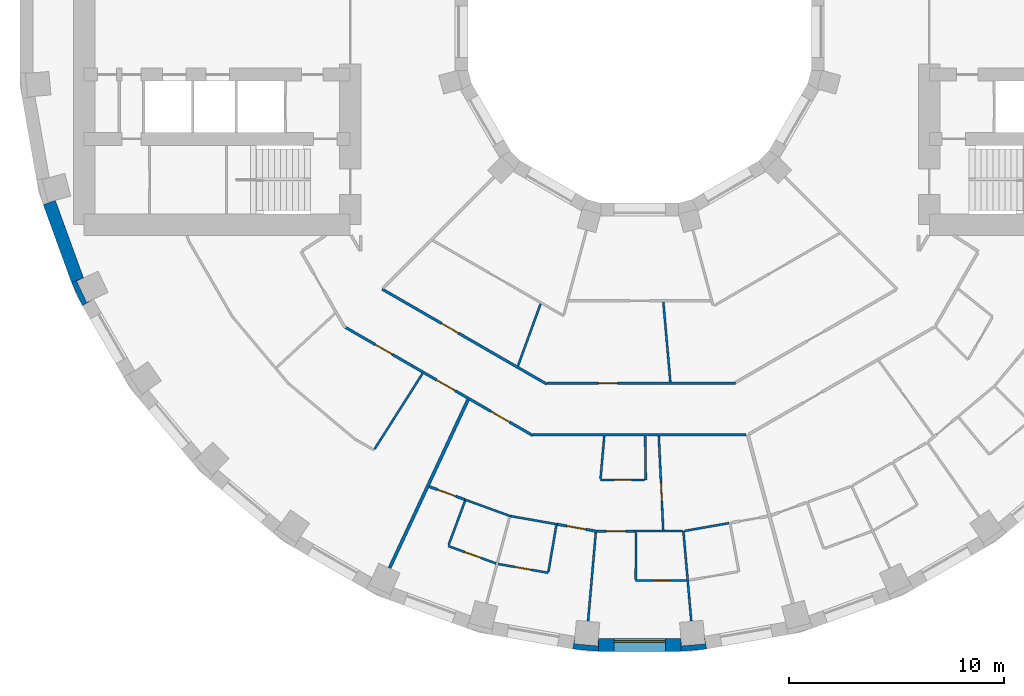
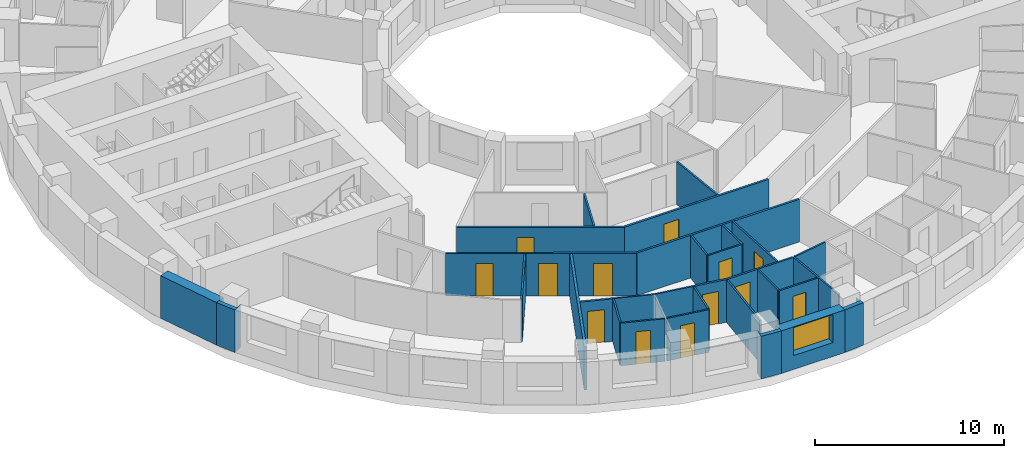
# One storey, part 4 of 15: 32 walls, 13 doors, 1 window, 14 openings.
"""IFC4 building model written with IfcOpenShell, lengths in metres."""

from ifc_helpers import new_model, si_unit, direction, frame, frame_2d, origin, place, context, subcontext, project, spatial, polyline, rectangle, outline, extrude, material, layer, layer_set, type_object, element, fill, save


model = new_model("IFC4")

# Units and contexts
model_context = context("Model", 3, precision=1e-05, world=origin(), true_north=direction((0.0, 1.0)))
body_context = subcontext(model_context, "Body", "Model", "MODEL_VIEW")
ifc_project = project(units=[si_unit("LENGTHUNIT", "METRE"), si_unit("AREAUNIT", "SQUARE_METRE"), si_unit("VOLUMEUNIT", "CUBIC_METRE"), si_unit("PLANEANGLEUNIT", "RADIAN"), si_unit("MASSUNIT", "GRAM", prefix="KILO")], contexts=[model_context])

# Site, building, storey
site_placement = place(None, origin())
site = spatial("IfcSite", under=ifc_project, at=site_placement, CompositionType="ELEMENT")
building_placement = place(site_placement, origin())
building = spatial("IfcBuilding", under=site, at=building_placement, Name="Saqina Gate Tower", CompositionType="ELEMENT")
storey_placement = place(building_placement, frame((0.0, 0.0, 65.89990234375)))
storey = spatial("IfcBuildingStorey", under=building, at=storey_placement, Name="L18", CompositionType="ELEMENT", Elevation=65.89990234375)

# Walls
ifc_material_1 = material(Name="Brick masonry (red)", Category="masonry")
wall_type_1 = type_object("IfcWallType", Name="BRICK PIER COPING RED", PredefinedType="SOLIDWALL", material=ifc_material_1)
wall_1_placement = place(storey_placement, origin())
element("IfcWall", 1, at=wall_1_placement, inside=storey, type_object=wall_type_1, Name="Pier cap L18 column 21", PredefinedType="SOLIDWALL", context=body_context, shape_type="SweptSolid", body=[
    extrude(outline(polyline([(-25.980712890625, -12.779541015625), (-25.4609375, -12.4794921875), (-25.778564453125, -12.627685546875), (-26.243408203125, -11.630615234375), (-25.92578125, -11.482666015625), (-26.48974609375, -11.687744140625), (-25.980712890625, -12.779541015625)])), origin(), (0.0, 0.0, 1.0), 2.75),
])
wall_2_placement = place(storey_placement, origin())
element("IfcWall", 2, at=wall_2_placement, inside=storey, type_object=wall_type_1, Name="Pier cap L18 column 27", PredefinedType="SOLIDWALL", context=body_context, shape_type="SweptSolid", body=[
    extrude(outline(polyline([(-3.122802734375, -28.78466796875), (-1.9228515625, -28.8896484375), (-1.9228515625, -28.28955078125), (-1.95361328125, -28.638671875), (-3.04931640625, -28.54296875), (-3.018798828125, -28.19384765625), (-3.122802734375, -28.78466796875)])), origin(), (0.0, 0.0, 1.0), 2.75),
])
wall_3_placement = place(storey_placement, origin())
element("IfcWall", 3, at=wall_3_placement, inside=storey, type_object=wall_type_1, Name="Pier cap L18 column 28", PredefinedType="SOLIDWALL", context=body_context, shape_type="SweptSolid", body=[
    extrude(outline(polyline([(1.9228515625, -28.8896484375), (3.122802734375, -28.78466796875), (3.018798828125, -28.19384765625), (3.04931640625, -28.54296875), (1.95361328125, -28.638671875), (1.9228515625, -28.28955078125), (1.9228515625, -28.8896484375)])), origin(), (0.0, 0.0, 1.0), 2.75),
])

# Wall, opening, window
ifc_material_2 = material(Name="Brick masonry (red)", Category="masonry")
ifc_layer_1 = layer(ifc_material_2, 0.60009765625)
ifc_layer_set_1 = layer_set([ifc_layer_1], Name="FW-BRICK-RED")
wall_type_2 = type_object("IfcWallType", Name="FW-BRICK-RED", PredefinedType="SOLIDWALL", material=ifc_layer_set_1)
wall_4_placement = place(storey_placement, frame((-1.9228515625, -28.589599609375, 0.0), z_axis=(0.0, 0.0, 1.0), x_axis=(1.0, 0.0, 0.0)))
wall_4 = element("IfcWall", 4, at=wall_4_placement, inside=storey, type_object=wall_type_2, Name="Facade wall L18 facet 27", PredefinedType="SOLIDWALL", context=body_context, shape_type="SweptSolid", body=[
    extrude(rectangle(XDim=3.845703125, YDim=0.60009765625, at=frame_2d((1.9228515625, 0.0))), origin(), (0.0, 0.0, 1.0), 2.75),
])
opening_1_placement = place(wall_4_placement, frame((0.722900390625, 0.0, 0.89990234375)))
opening_1 = element("IfcOpeningElement", 5, at=opening_1_placement, cuts=wall_4, Name="Opening G05-W16", PredefinedType="OPENING", context=body_context, shape_type="SweptSolid", body=[
    extrude(rectangle(XDim=2.39990234375, YDim=1.800048828125, at=frame_2d((1.199951171875, 0.89990234375))), frame((0.0, 0.31201171875, 0.0), z_axis=(0.0, -1.0, 0.0), x_axis=(1.0, 0.0, 0.0)), (0.0, 0.0, 1.0), 0.6240234375),
])
ifc_material_3 = material(Name="Aluminium glazing", Category="aluminium")
window_type = type_object("IfcWindowType", Name="WN-A", PartitioningType="SINGLE_PANEL", PredefinedType="WINDOW", material=ifc_material_3)
window_placement = place(opening_1_placement, origin())
window = element("IfcWindow", 6, at=window_placement, inside=storey, type_object=window_type, Name="Window L18 facet 27", OverallHeight=1.800048828125, OverallWidth=2.39990234375, PartitioningType="SINGLE_PANEL", PredefinedType="WINDOW", context=body_context, shape_type="SweptSolid", body=[
    extrude(rectangle(XDim=2.39990234375, YDim=1.800048828125, at=frame_2d((1.199951171875, 0.89990234375))), frame((0.0, 0.179931640625, 0.0), z_axis=(0.0, -1.0, 0.0), x_axis=(1.0, 0.0, 0.0)), (0.0, 0.0, 1.0), 0.06005859375),
])
fill(opening_1, window)

# Walls
ifc_material_4 = material(Name="Glazed ceramic tile (dark blue)", Category="ceramic")
ifc_layer_2 = layer(ifc_material_4, 0.60009765625)
ifc_layer_set_2 = layer_set([ifc_layer_2], Name="FW-TILE-CB")
wall_type_3 = type_object("IfcWallType", Name="FW-TILE-CB", PredefinedType="SOLIDWALL", material=ifc_layer_set_2)
wall_5_placement = place(storey_placement, frame((-27.523193359375, -7.97119140625, 0.0), z_axis=(0.0, 0.0, 1.0), x_axis=(0.342028474173, -0.939689588564, 0.0)))
element("IfcWall", 7, at=wall_5_placement, inside=storey, type_object=wall_type_3, Name="Facade wall L18 facet 20", PredefinedType="SOLIDWALL", context=body_context, shape_type="SweptSolid", body=[
    extrude(rectangle(XDim=3.845947265625, YDim=0.60009765625, at=frame_2d((1.9228515625, 0.0))), origin(), (0.0, 0.0, 1.0), 2.75),
])
ifc_material_5 = material(Name="Gypsum board on steel studs, 100 mm", Category="steel")
ifc_layer_3 = layer(ifc_material_5, 0.10009765625)
ifc_layer_set_3 = layer_set([ifc_layer_3], Name="PARTITION 100")
wall_type_4 = type_object("IfcWallType", Name="PARTITION 100", PredefinedType="PARTITIONING", material=ifc_layer_set_3)
wall_6_placement = place(storey_placement, frame((0.255859375, -18.862548828125, 0.0), z_axis=(0.0, 0.0, 1.0), x_axis=(0.013779398664, -0.999905059579, 0.0)))
element("IfcWall", 8, at=wall_6_placement, inside=storey, type_object=wall_type_4, Name="PARTITION PW3-01", PredefinedType="PARTITIONING", context=body_context, shape_type="SweptSolid", body=[
    extrude(rectangle(XDim=2.03759765625, YDim=0.10009765625, at=frame_2d((1.018798828125, 0.0))), origin(), (0.0, 0.0, 1.0), 2.75),
])

# Wall, opening, door
wall_7_placement = place(storey_placement, frame((0.890869140625, -18.862548828125, 0.0), z_axis=(0.0, 0.0, 1.0), x_axis=(0.047186643512, -0.998886089939, 0.0)))
wall_7 = element("IfcWall", 9, at=wall_7_placement, inside=storey, type_object=wall_type_4, Name="PARTITION PW3-02", PredefinedType="PARTITIONING", context=body_context, shape_type="SweptSolid", body=[
    extrude(rectangle(XDim=4.38232421875, YDim=0.10009765625, at=frame_2d((2.191162109375, 0.0))), origin(), (0.0, 0.0, 1.0), 2.75),
])
opening_2_placement = place(wall_7_placement, frame((2.135009765625, 0.0, 0.0)))
opening_2 = element("IfcOpeningElement", 10, at=opening_2_placement, cuts=wall_7, Name="Opening G05-D51", PredefinedType="OPENING", context=body_context, shape_type="SweptSolid", body=[
    extrude(rectangle(XDim=0.89990234375, YDim=2.10009765625, at=frame_2d((0.449951171875, 1.050048828125))), frame((0.0, 0.06201171875, 0.0), z_axis=(0.0, -1.0, 0.0), x_axis=(1.0, 0.0, 0.0)), (0.0, 0.0, 1.0), 0.1240234375),
])
ifc_material_6 = material(Name="Timber door leaf, 900 mm", Category="wood")
door_type_1 = type_object("IfcDoorType", Name="DOOR 900 TIMBER", OperationType="SINGLE_SWING_LEFT", PredefinedType="DOOR", material=ifc_material_6)
door_1_placement = place(opening_2_placement, frame((0.89990234375, 0.0, 0.0), z_axis=(0.0, 0.0, 1.0), x_axis=(-1.0, 0.0, 0.0)))
door_1 = element("IfcDoor", 11, at=door_1_placement, inside=storey, type_object=door_type_1, Name="DOOR G05-D51", OperationType="SINGLE_SWING_RIGHT", OverallHeight=2.10009765625, OverallWidth=0.89990234375, PredefinedType="DOOR", context=body_context, shape_type="SweptSolid", body=[
    extrude(rectangle(XDim=0.89990234375, YDim=2.10009765625, at=frame_2d((0.449951171875, 1.050048828125))), frame((0.0, 0.02490234375, 0.0), z_axis=(0.0, -1.0, 0.0), x_axis=(1.0, 0.0, 0.0)), (0.0, 0.0, 1.0), 0.050048828125),
])
fill(opening_2, door_1)

# Walls
wall_8_placement = place(storey_placement, frame((1.102294921875, -12.599853515625, 0.0), z_axis=(0.0, 0.0, 1.0), x_axis=(0.087191165371, -0.996191598379, 0.0)))
element("IfcWall", 12, at=wall_8_placement, inside=storey, type_object=wall_type_4, Name="PARTITION PW3-05", PredefinedType="PARTITIONING", context=body_context, shape_type="SweptSolid", body=[
    extrude(rectangle(XDim=3.752197265625, YDim=0.10009765625, at=frame_2d((1.8759765625, 0.0))), origin(), (0.0, 0.0, 1.0), 2.75),
])
wall_9_placement = place(storey_placement, frame((2.0380859375, -23.2900390625, 0.0), z_axis=(0.0, 0.0, 1.0), x_axis=(0.087200034709, -0.996190822055, 0.0)))
element("IfcWall", 13, at=wall_9_placement, inside=storey, type_object=wall_type_4, Name="PARTITION PW3-06", PredefinedType="PARTITIONING", context=body_context, shape_type="SweptSolid", body=[
    extrude(rectangle(XDim=4.2109375, YDim=0.10009765625, at=frame_2d((2.10546875, 0.0))), origin(), (0.0, 0.0, 1.0), 2.75),
])

# Wall, opening, door
wall_10_placement = place(storey_placement, frame((-8.925048828125, -23.98291015625, 0.0), z_axis=(0.0, 0.0, 1.0), x_axis=(0.939643152994, -0.342156024399, 0.0)))
wall_10 = element("IfcWall", 14, at=wall_10_placement, inside=storey, type_object=wall_type_4, Name="PARTITION PW3-50", PredefinedType="PARTITIONING", context=body_context, shape_type="SweptSolid", body=[
    extrude(rectangle(XDim=2.373291015625, YDim=0.10009765625, at=frame_2d((1.1865234375, 0.0))), origin(), (0.0, 0.0, 1.0), 2.75),
])
opening_3_placement = place(wall_10_placement, frame((0.8115234375, 0.0, 0.0)))
opening_3 = element("IfcOpeningElement", 15, at=opening_3_placement, cuts=wall_10, Name="Opening G05-D43", PredefinedType="OPENING", context=body_context, shape_type="SweptSolid", body=[
    extrude(rectangle(XDim=0.800048828125, YDim=2.10009765625, at=frame_2d((0.39990234375, 1.050048828125))), frame((0.0, 0.06201171875, 0.0), z_axis=(0.0, -1.0, 0.0), x_axis=(1.0, 0.0, 0.0)), (0.0, 0.0, 1.0), 0.1240234375),
])
ifc_material_7 = material(Name="Timber door leaf, 800 mm", Category="wood")
door_type_2 = type_object("IfcDoorType", Name="DOOR 800 TIMBER", OperationType="SINGLE_SWING_LEFT", PredefinedType="DOOR", material=ifc_material_7)
door_2_placement = place(opening_3_placement, frame((0.800048828125, 0.0, 0.0), z_axis=(0.0, 0.0, 1.0), x_axis=(-1.0, 0.0, 0.0)))
door_2 = element("IfcDoor", 16, at=door_2_placement, inside=storey, type_object=door_type_2, Name="DOOR G05-D43", OperationType="SINGLE_SWING_LEFT", OverallHeight=2.10009765625, OverallWidth=0.800048828125, PredefinedType="DOOR", context=body_context, shape_type="SweptSolid", body=[
    extrude(rectangle(XDim=0.800048828125, YDim=2.10009765625, at=frame_2d((0.39990234375, 1.050048828125))), frame((0.0, 0.02490234375, 0.0), z_axis=(0.0, -1.0, 0.0), x_axis=(1.0, 0.0, 0.0)), (0.0, 0.0, 1.0), 0.050048828125),
])
fill(opening_3, door_2)

# Wall
wall_11_placement = place(storey_placement, frame((-8.169921875, -21.810791015625, 0.0), z_axis=(0.0, 0.0, 1.0), x_axis=(0.939700645731, -0.341998094165, 0.0)))
element("IfcWall", 17, at=wall_11_placement, inside=storey, type_object=wall_type_4, Name="PARTITION PW3-51", PredefinedType="PARTITIONING", context=body_context, shape_type="SweptSolid", body=[
    extrude(rectangle(XDim=2.3056640625, YDim=0.10009765625, at=frame_2d((1.15283203125, 0.0))), origin(), (0.0, 0.0, 1.0), 2.75),
])

# Wall, opening, door
wall_12_placement = place(storey_placement, frame((-6.598876953125, -24.82080078125, 0.0), z_axis=(0.0, 0.0, 1.0), x_axis=(0.984804266692, -0.17366794841, 0.0)))
wall_12 = element("IfcWall", 18, at=wall_12_placement, inside=storey, type_object=wall_type_4, Name="PARTITION PW3-54", PredefinedType="PARTITIONING", context=body_context, shape_type="SweptSolid", body=[
    extrude(rectangle(XDim=2.373046875, YDim=0.10009765625, at=frame_2d((1.1865234375, 0.0))), origin(), (0.0, 0.0, 1.0), 2.75),
])
opening_4_placement = place(wall_12_placement, frame((0.761474609375, 0.0, 0.0)))
opening_4 = element("IfcOpeningElement", 19, at=opening_4_placement, cuts=wall_12, Name="Opening G05-D44", PredefinedType="OPENING", context=body_context, shape_type="SweptSolid", body=[
    extrude(rectangle(XDim=0.800048828125, YDim=2.10009765625, at=frame_2d((0.39990234375, 1.050048828125))), frame((0.0, 0.06201171875, 0.0), z_axis=(0.0, -1.0, 0.0), x_axis=(1.0, 0.0, 0.0)), (0.0, 0.0, 1.0), 0.1240234375),
])
door_3_placement = place(opening_4_placement, frame((0.800048828125, 0.0, 0.0), z_axis=(0.0, 0.0, 1.0), x_axis=(-1.0, 0.0, 0.0)))
door_3 = element("IfcDoor", 20, at=door_3_placement, inside=storey, type_object=door_type_2, Name="DOOR G05-D44", OperationType="SINGLE_SWING_RIGHT", OverallHeight=2.10009765625, OverallWidth=0.800048828125, PredefinedType="DOOR", context=body_context, shape_type="SweptSolid", body=[
    extrude(rectangle(XDim=0.800048828125, YDim=2.10009765625, at=frame_2d((0.39990234375, 1.050048828125))), frame((0.0, 0.02490234375, 0.0), z_axis=(0.0, -1.0, 0.0), x_axis=(1.0, 0.0, 0.0)), (0.0, 0.0, 1.0), 0.050048828125),
])
fill(opening_4, door_3)

# Wall
wall_13_placement = place(storey_placement, frame((-6.001708984375, -22.590576171875, 0.0), z_axis=(0.0, 0.0, 1.0), x_axis=(0.984800270927, -0.173690605338, 0.0)))
element("IfcWall", 21, at=wall_13_placement, inside=storey, type_object=wall_type_4, Name="PARTITION PW3-55", PredefinedType="PARTITIONING", context=body_context, shape_type="SweptSolid", body=[
    extrude(rectangle(XDim=2.205322265625, YDim=0.10009765625, at=frame_2d((1.1025390625, 0.0))), origin(), (0.0, 0.0, 1.0), 2.75),
])

# Wall, opening, door
wall_14_placement = place(storey_placement, frame((-0.18408203125, -25.590087890625, 0.0), z_axis=(0.0, 0.0, 1.0), x_axis=(1.0, 0.0, 0.0)))
wall_14 = element("IfcWall", 22, at=wall_14_placement, inside=storey, type_object=wall_type_4, Name="PARTITION PW3-58", PredefinedType="PARTITIONING", context=body_context, shape_type="SweptSolid", body=[
    extrude(rectangle(XDim=2.373046875, YDim=0.10009765625, at=frame_2d((1.1865234375, 0.0))), origin(), (0.0, 0.0, 1.0), 2.75),
])
opening_5_placement = place(wall_14_placement, frame((0.8115234375, 0.0, 0.0)))
opening_5 = element("IfcOpeningElement", 23, at=opening_5_placement, cuts=wall_14, Name="Opening G05-D50", PredefinedType="OPENING", context=body_context, shape_type="SweptSolid", body=[
    extrude(rectangle(XDim=0.800048828125, YDim=2.10009765625, at=frame_2d((0.39990234375, 1.050048828125))), frame((0.0, 0.06201171875, 0.0), z_axis=(0.0, -1.0, 0.0), x_axis=(1.0, 0.0, 0.0)), (0.0, 0.0, 1.0), 0.1240234375),
])
door_4_placement = place(opening_5_placement, frame((0.800048828125, 0.0, 0.0), z_axis=(0.0, 0.0, 1.0), x_axis=(-1.0, 0.0, 0.0)))
door_4 = element("IfcDoor", 24, at=door_4_placement, inside=storey, type_object=door_type_2, Name="DOOR G05-D50", OperationType="SINGLE_SWING_LEFT", OverallHeight=2.10009765625, OverallWidth=0.800048828125, PredefinedType="DOOR", context=body_context, shape_type="SweptSolid", body=[
    extrude(rectangle(XDim=0.800048828125, YDim=2.10009765625, at=frame_2d((0.39990234375, 1.050048828125))), frame((0.0, 0.02490234375, 0.0), z_axis=(0.0, -1.0, 0.0), x_axis=(1.0, 0.0, 0.0)), (0.0, 0.0, 1.0), 0.050048828125),
])
fill(opening_5, door_4)

# Wall
wall_15_placement = place(storey_placement, frame((-0.218017578125, -23.2900390625, 0.0), z_axis=(0.0, 0.0, 1.0), x_axis=(1.0, 0.0, 0.0)))
element("IfcWall", 25, at=wall_15_placement, inside=storey, type_object=wall_type_4, Name="PARTITION PW3-59", PredefinedType="PARTITIONING", context=body_context, shape_type="SweptSolid", body=[
    extrude(rectangle(XDim=2.2060546875, YDim=0.10009765625, at=frame_2d((1.10302734375, 0.0))), origin(), (0.0, 0.0, 1.0), 2.75),
])

# Wall, opening, door
wall_16_placement = place(storey_placement, frame((-1.8291015625, -20.89990234375, 0.0), z_axis=(0.0, 0.0, 1.0), x_axis=(1.0, 0.0, 0.0)))
wall_16 = element("IfcWall", 26, at=wall_16_placement, inside=storey, type_object=wall_type_4, Name="PARTITION PW3-60", PredefinedType="PARTITIONING", context=body_context, shape_type="SweptSolid", body=[
    extrude(rectangle(XDim=2.06298828125, YDim=0.10009765625, at=frame_2d((1.031494140625, 0.0))), origin(), (0.0, 0.0, 1.0), 2.75),
])
opening_6_placement = place(wall_16_placement, frame((0.656494140625, 0.0, 0.0)))
opening_6 = element("IfcOpeningElement", 27, at=opening_6_placement, cuts=wall_16, Name="Opening G05-D48", PredefinedType="OPENING", context=body_context, shape_type="SweptSolid", body=[
    extrude(rectangle(XDim=0.800048828125, YDim=2.10009765625, at=frame_2d((0.39990234375, 1.050048828125))), frame((0.0, 0.06201171875, 0.0), z_axis=(0.0, -1.0, 0.0), x_axis=(1.0, 0.0, 0.0)), (0.0, 0.0, 1.0), 0.1240234375),
])
door_5_placement = place(opening_6_placement, frame((0.800048828125, 0.0, 0.0), z_axis=(0.0, 0.0, 1.0), x_axis=(-1.0, 0.0, 0.0)))
door_5 = element("IfcDoor", 28, at=door_5_placement, inside=storey, type_object=door_type_2, Name="DOOR G05-D48", OperationType="SINGLE_SWING_LEFT", OverallHeight=2.10009765625, OverallWidth=0.800048828125, PredefinedType="DOOR", context=body_context, shape_type="SweptSolid", body=[
    extrude(rectangle(XDim=0.800048828125, YDim=2.10009765625, at=frame_2d((0.39990234375, 1.050048828125))), frame((0.0, 0.02490234375, 0.0), z_axis=(0.0, -1.0, 0.0), x_axis=(1.0, 0.0, 0.0)), (0.0, 0.0, 1.0), 0.050048828125),
])
fill(opening_6, door_5)

# Walls
wall_17_placement = place(storey_placement, frame((2.087158203125, -23.28125, 0.0), z_axis=(0.0, 0.0, 1.0), x_axis=(0.984804573467, 0.173666208797, 0.0)))
element("IfcWall", 29, at=wall_17_placement, inside=storey, type_object=wall_type_4, Name="PARTITION PW3-68", PredefinedType="PARTITIONING", context=body_context, shape_type="SweptSolid", body=[
    extrude(rectangle(XDim=2.1044921875, YDim=0.10009765625, at=frame_2d((1.05224609375, 0.0))), origin(), (0.0, 0.0, 1.0), 2.75),
])
wall_18_placement = place(storey_placement, frame((-12.361083984375, -19.466796875, 0.0), z_axis=(0.0, 0.0, 1.0), x_axis=(0.535975761714, 0.844233369901, 0.0)))
element("IfcWall", 30, at=wall_18_placement, inside=storey, type_object=wall_type_4, Name="PARTITION PW3-95", PredefinedType="PARTITIONING", context=body_context, shape_type="SweptSolid", body=[
    extrude(rectangle(XDim=4.18017578125, YDim=0.10009765625, at=frame_2d((2.090087890625, 0.0))), origin(), (0.0, 0.0, 1.0), 2.75),
])
wall_19_placement = place(storey_placement, frame((-8.907470703125, -23.93603515625, 0.0), z_axis=(0.0, 0.0, 1.0), x_axis=(0.348774527409, 0.937206662925, 0.0)))
element("IfcWall", 31, at=wall_19_placement, inside=storey, type_object=wall_type_4, Name="PARTITION PW3-101", PredefinedType="PARTITIONING", context=body_context, shape_type="SweptSolid", body=[
    extrude(rectangle(XDim=2.199462890625, YDim=0.10009765625, at=frame_2d((1.099609375, 0.0))), origin(), (0.0, 0.0, 1.0), 2.75),
])
wall_20_placement = place(storey_placement, frame((-5.674560546875, -15.58984375, 0.0), z_axis=(0.0, 0.0, 1.0), x_axis=(0.342003486118, 0.939698683347, 0.0)))
element("IfcWall", 32, at=wall_20_placement, inside=storey, type_object=wall_type_4, Name="PARTITION PW3-103", PredefinedType="PARTITIONING", context=body_context, shape_type="SweptSolid", body=[
    extrude(rectangle(XDim=3.0859375, YDim=0.10009765625, at=frame_2d((1.54296875, 0.0))), origin(), (0.0, 0.0, 1.0), 2.75),
])
wall_21_placement = place(storey_placement, frame((-4.253662109375, -25.18359375, 0.0), z_axis=(0.0, 0.0, 1.0), x_axis=(0.166534432253, 0.986035639759, 0.0)))
element("IfcWall", 33, at=wall_21_placement, inside=storey, type_object=wall_type_4, Name="PARTITION PW3-109", PredefinedType="PARTITIONING", context=body_context, shape_type="SweptSolid", body=[
    extrude(rectangle(XDim=2.187255859375, YDim=0.10009765625, at=frame_2d((1.09375, 0.0))), origin(), (0.0, 0.0, 1.0), 2.75),
])
wall_22_placement = place(storey_placement, frame((-2.405029296875, -27.48486328125, 0.0), z_axis=(0.0, 0.0, 1.0), x_axis=(0.086512794622, 0.996250739707, 0.0)))
element("IfcWall", 34, at=wall_22_placement, inside=storey, type_object=wall_type_4, Name="PARTITION PW3-110", PredefinedType="PARTITIONING", context=body_context, shape_type="SweptSolid", body=[
    extrude(rectangle(XDim=4.1484375, YDim=0.10009765625, at=frame_2d((2.07421875, 0.0))), origin(), (0.0, 0.0, 1.0), 2.75),
])
wall_23_placement = place(storey_placement, frame((-1.82470703125, -20.85009765625, 0.0), z_axis=(0.0, 0.0, 1.0), x_axis=(0.087115345234, 0.996198231591, 0.0)))
element("IfcWall", 35, at=wall_23_placement, inside=storey, type_object=wall_type_4, Name="PARTITION PW3-112", PredefinedType="PARTITIONING", context=body_context, shape_type="SweptSolid", body=[
    extrude(rectangle(XDim=1.995361328125, YDim=0.10009765625, at=frame_2d((0.99755859375, 0.0))), origin(), (0.0, 0.0, 1.0), 2.75),
])
wall_24_placement = place(storey_placement, frame((-0.18359375, -25.5400390625, 0.0), z_axis=(0.0, 0.0, 1.0), x_axis=(0.006919477202, 0.999976060131, 0.0)))
element("IfcWall", 36, at=wall_24_placement, inside=storey, type_object=wall_type_4, Name="PARTITION PW3-114", PredefinedType="PARTITIONING", context=body_context, shape_type="SweptSolid", body=[
    extrude(rectangle(XDim=2.1875, YDim=0.10009765625, at=frame_2d((1.09375, 0.0))), origin(), (0.0, 0.0, 1.0), 2.75),
])

# Wall, openings, doors
ifc_material_8 = material(Name="Gypsum board on steel studs, 125 mm, fire rated", Category="steel")
ifc_layer_4 = layer(ifc_material_8, 0.125)
ifc_layer_set_4 = layer_set([ifc_layer_4], Name="PARTITION EI 30 125")
wall_type_5 = type_object("IfcWallType", Name="PARTITION EI 30 125", PredefinedType="PARTITIONING", material=ifc_layer_set_4)
wall_25_placement = place(storey_placement, frame((-13.708984375, -13.794189453125, 0.0), z_axis=(0.0, 0.0, 1.0), x_axis=(0.866059817553, -0.499940388867, 0.0)))
wall_25 = element("IfcWall", 37, at=wall_25_placement, inside=storey, type_object=wall_type_5, Name="PARTITION PW1-09", PredefinedType="PARTITIONING", context=body_context, shape_type="SweptSolid", body=[
    extrude(rectangle(XDim=10.085205078125, YDim=0.125, at=frame_2d((5.04248046875, 0.0))), origin(), (0.0, 0.0, 1.0), 2.75),
])
opening_7_placement = place(wall_25_placement, frame((1.60986328125, 0.0, 0.0)))
opening_7 = element("IfcOpeningElement", 38, at=opening_7_placement, cuts=wall_25, Name="Opening G05-D37", PredefinedType="OPENING", context=body_context, shape_type="SweptSolid", body=[
    extrude(rectangle(XDim=0.89990234375, YDim=2.10009765625, at=frame_2d((0.449951171875, 1.050048828125))), frame((0.0, 0.074462890625, 0.0), z_axis=(0.0, -1.0, 0.0), x_axis=(1.0, 0.0, 0.0)), (0.0, 0.0, 1.0), 0.14892578125),
])
opening_8_placement = place(wall_25_placement, frame((4.90087890625, 0.0, 0.0)))
opening_8 = element("IfcOpeningElement", 39, at=opening_8_placement, cuts=wall_25, Name="Opening G05-D40", PredefinedType="OPENING", context=body_context, shape_type="SweptSolid", body=[
    extrude(rectangle(XDim=1.0, YDim=2.10009765625, at=frame_2d((0.5, 1.050048828125))), frame((0.0, 0.074462890625, 0.0), z_axis=(0.0, -1.0, 0.0), x_axis=(1.0, 0.0, 0.0)), (0.0, 0.0, 1.0), 0.14892578125),
])
opening_9_placement = place(wall_25_placement, frame((7.81640625, 0.0, 0.0)))
opening_9 = element("IfcOpeningElement", 40, at=opening_9_placement, cuts=wall_25, Name="Opening G05-D42", PredefinedType="OPENING", context=body_context, shape_type="SweptSolid", body=[
    extrude(rectangle(XDim=1.0, YDim=2.10009765625, at=frame_2d((0.5, 1.050048828125))), frame((0.0, 0.074462890625, 0.0), z_axis=(0.0, -1.0, 0.0), x_axis=(1.0, 0.0, 0.0)), (0.0, 0.0, 1.0), 0.14892578125),
])
ifc_material_9 = material(Name="Fire door leaf EI 30, 1000 mm")
door_type_3 = type_object("IfcDoorType", Name="DOOR 1000 EI 30", OperationType="SINGLE_SWING_LEFT", PredefinedType="DOOR", material=ifc_material_9)
door_6_placement = place(opening_8_placement, origin())
door_6 = element("IfcDoor", 41, at=door_6_placement, inside=storey, type_object=door_type_3, Name="DOOR G05-D40", OperationType="SINGLE_SWING_RIGHT", OverallHeight=2.10009765625, OverallWidth=1.0, PredefinedType="DOOR", context=body_context, shape_type="SweptSolid", body=[
    extrude(rectangle(XDim=1.0, YDim=2.10009765625, at=frame_2d((0.5, 1.050048828125))), frame((0.0, 0.02490234375, 0.0), z_axis=(0.0, -1.0, 0.0), x_axis=(1.0, 0.0, 0.0)), (0.0, 0.0, 1.0), 0.050048828125),
])
fill(opening_8, door_6)
door_7_placement = place(opening_9_placement, frame((1.0, 0.0, 0.0), z_axis=(0.0, 0.0, 1.0), x_axis=(-1.0, 0.0, 0.0)))
door_7 = element("IfcDoor", 42, at=door_7_placement, inside=storey, type_object=door_type_3, Name="DOOR G05-D42", OperationType="SINGLE_SWING_LEFT", OverallHeight=2.10009765625, OverallWidth=1.0, PredefinedType="DOOR", context=body_context, shape_type="SweptSolid", body=[
    extrude(rectangle(XDim=1.0, YDim=2.10009765625, at=frame_2d((0.5, 1.050048828125))), frame((0.0, 0.02490234375, 0.0), z_axis=(0.0, -1.0, 0.0), x_axis=(1.0, 0.0, 0.0)), (0.0, 0.0, 1.0), 0.050048828125),
])
fill(opening_9, door_7)
ifc_material_10 = material(Name="Fire door leaf EI 30, 900 mm")
door_type_4 = type_object("IfcDoorType", Name="DOOR 900 EI 30", OperationType="SINGLE_SWING_LEFT", PredefinedType="DOOR", material=ifc_material_10)
door_8_placement = place(opening_7_placement, frame((0.89990234375, 0.0, 0.0), z_axis=(0.0, 0.0, 1.0), x_axis=(-1.0, 0.0, 0.0)))
door_8 = element("IfcDoor", 43, at=door_8_placement, inside=storey, type_object=door_type_4, Name="DOOR G05-D37", OperationType="SINGLE_SWING_RIGHT", OverallHeight=2.10009765625, OverallWidth=0.89990234375, PredefinedType="DOOR", context=body_context, shape_type="SweptSolid", body=[
    extrude(rectangle(XDim=0.89990234375, YDim=2.10009765625, at=frame_2d((0.449951171875, 1.050048828125))), frame((0.0, 0.02490234375, 0.0), z_axis=(0.0, -1.0, 0.0), x_axis=(1.0, 0.0, 0.0)), (0.0, 0.0, 1.0), 0.050048828125),
])
fill(opening_7, door_8)

# Wall, opening, door
wall_26_placement = place(storey_placement, frame((-12.006103515625, -12.006103515625, 0.0), z_axis=(0.0, 0.0, 1.0), x_axis=(0.866073188118, -0.499917225971, 0.0)))
wall_26 = element("IfcWall", 44, at=wall_26_placement, inside=storey, type_object=wall_type_5, Name="PARTITION PW1-10", PredefinedType="PARTITIONING", context=body_context, shape_type="SweptSolid", body=[
    extrude(rectangle(XDim=8.861328125, YDim=0.125, at=frame_2d((4.4306640625, 0.0))), origin(), (0.0, 0.0, 1.0), 2.75),
])
opening_10_placement = place(wall_26_placement, frame((3.193115234375, 0.0, 0.0)))
opening_10 = element("IfcOpeningElement", 45, at=opening_10_placement, cuts=wall_26, Name="Opening G05-D38", PredefinedType="OPENING", context=body_context, shape_type="SweptSolid", body=[
    extrude(rectangle(XDim=0.89990234375, YDim=2.10009765625, at=frame_2d((0.449951171875, 1.050048828125))), frame((0.0, 0.074462890625, 0.0), z_axis=(0.0, -1.0, 0.0), x_axis=(1.0, 0.0, 0.0)), (0.0, 0.0, 1.0), 0.14892578125),
])
door_9_placement = place(opening_10_placement, origin())
door_9 = element("IfcDoor", 46, at=door_9_placement, inside=storey, type_object=door_type_4, Name="DOOR G05-D38", OperationType="SINGLE_SWING_LEFT", OverallHeight=2.10009765625, OverallWidth=0.89990234375, PredefinedType="DOOR", context=body_context, shape_type="SweptSolid", body=[
    extrude(rectangle(XDim=0.89990234375, YDim=2.10009765625, at=frame_2d((0.449951171875, 1.050048828125))), frame((0.0, 0.02490234375, 0.0), z_axis=(0.0, -1.0, 0.0), x_axis=(1.0, 0.0, 0.0)), (0.0, 0.0, 1.0), 0.050048828125),
])
fill(opening_10, door_9)

wall_27_placement = place(storey_placement, frame((-9.809326171875, -21.2138671875, 0.0), z_axis=(0.0, 0.0, 1.0), x_axis=(0.939605351125, -0.342259819635, 0.0)))
wall_27 = element("IfcWall", 47, at=wall_27_placement, inside=storey, type_object=wall_type_5, Name="PARTITION PW1-16", PredefinedType="PARTITIONING", context=body_context, shape_type="SweptSolid", body=[
    extrude(rectangle(XDim=1.744873046875, YDim=0.125, at=frame_2d((0.87255859375, 0.0))), origin(), (0.0, 0.0, 1.0), 2.75),
])
opening_11_placement = place(wall_27_placement, frame((0.409912109375, 0.0, 0.0)))
opening_11 = element("IfcOpeningElement", 48, at=opening_11_placement, cuts=wall_27, Name="Opening G05-D41", PredefinedType="OPENING", context=body_context, shape_type="SweptSolid", body=[
    extrude(rectangle(XDim=0.89990234375, YDim=2.10009765625, at=frame_2d((0.449951171875, 1.050048828125))), frame((0.0, 0.074462890625, 0.0), z_axis=(0.0, -1.0, 0.0), x_axis=(1.0, 0.0, 0.0)), (0.0, 0.0, 1.0), 0.14892578125),
])
door_10_placement = place(opening_11_placement, origin())
door_10 = element("IfcDoor", 49, at=door_10_placement, inside=storey, type_object=door_type_4, Name="DOOR G05-D41", OperationType="SINGLE_SWING_LEFT", OverallHeight=2.10009765625, OverallWidth=0.89990234375, PredefinedType="DOOR", context=body_context, shape_type="SweptSolid", body=[
    extrude(rectangle(XDim=0.89990234375, YDim=2.10009765625, at=frame_2d((0.449951171875, 1.050048828125))), frame((0.0, 0.02490234375, 0.0), z_axis=(0.0, -1.0, 0.0), x_axis=(1.0, 0.0, 0.0)), (0.0, 0.0, 1.0), 0.050048828125),
])
fill(opening_11, door_10)

wall_28_placement = place(storey_placement, frame((-3.829833984375, -22.9736328125, 0.0), z_axis=(0.0, 0.0, 1.0), x_axis=(0.984767891191, -0.173874093757, 0.0)))
wall_28 = element("IfcWall", 50, at=wall_28_placement, inside=storey, type_object=wall_type_5, Name="PARTITION PW1-18", PredefinedType="PARTITIONING", context=body_context, shape_type="SweptSolid", body=[
    extrude(rectangle(XDim=1.8828125, YDim=0.125, at=frame_2d((0.94140625, 0.0))), origin(), (0.0, 0.0, 1.0), 2.75),
])
opening_12_placement = place(wall_28_placement, frame((0.434814453125, 0.0, 0.0)))
opening_12 = element("IfcOpeningElement", 51, at=opening_12_placement, cuts=wall_28, Name="Opening G05-D45", PredefinedType="OPENING", context=body_context, shape_type="SweptSolid", body=[
    extrude(rectangle(XDim=0.89990234375, YDim=2.10009765625, at=frame_2d((0.449951171875, 1.050048828125))), frame((0.0, 0.074462890625, 0.0), z_axis=(0.0, -1.0, 0.0), x_axis=(1.0, 0.0, 0.0)), (0.0, 0.0, 1.0), 0.14892578125),
])
door_11_placement = place(opening_12_placement, origin())
door_11 = element("IfcDoor", 52, at=door_11_placement, inside=storey, type_object=door_type_4, Name="DOOR G05-D45", OperationType="SINGLE_SWING_RIGHT", OverallHeight=2.10009765625, OverallWidth=0.89990234375, PredefinedType="DOOR", context=body_context, shape_type="SweptSolid", body=[
    extrude(rectangle(XDim=0.89990234375, YDim=2.10009765625, at=frame_2d((0.449951171875, 1.050048828125))), frame((0.0, 0.02490234375, 0.0), z_axis=(0.0, -1.0, 0.0), x_axis=(1.0, 0.0, 0.0)), (0.0, 0.0, 1.0), 0.050048828125),
])
fill(opening_12, door_11)

wall_29_placement = place(storey_placement, frame((-1.9755859375, -23.2900390625, 0.0), z_axis=(0.0, 0.0, 1.0), x_axis=(1.0, 0.0, 0.0)))
wall_29 = element("IfcWall", 53, at=wall_29_placement, inside=storey, type_object=wall_type_5, Name="PARTITION PW1-20", PredefinedType="PARTITIONING", context=body_context, shape_type="SweptSolid", body=[
    extrude(rectangle(XDim=1.757568359375, YDim=0.125, at=frame_2d((0.87890625, 0.0))), origin(), (0.0, 0.0, 1.0), 2.75),
])
opening_13_placement = place(wall_29_placement, frame((0.422607421875, 0.0, 0.0)))
opening_13 = element("IfcOpeningElement", 54, at=opening_13_placement, cuts=wall_29, Name="Opening G05-D47", PredefinedType="OPENING", context=body_context, shape_type="SweptSolid", body=[
    extrude(rectangle(XDim=0.89990234375, YDim=2.10009765625, at=frame_2d((0.449951171875, 1.050048828125))), frame((0.0, 0.074462890625, 0.0), z_axis=(0.0, -1.0, 0.0), x_axis=(1.0, 0.0, 0.0)), (0.0, 0.0, 1.0), 0.14892578125),
])
door_12_placement = place(opening_13_placement, origin())
door_12 = element("IfcDoor", 55, at=door_12_placement, inside=storey, type_object=door_type_4, Name="DOOR G05-D47", OperationType="SINGLE_SWING_LEFT", OverallHeight=2.10009765625, OverallWidth=0.89990234375, PredefinedType="DOOR", context=body_context, shape_type="SweptSolid", body=[
    extrude(rectangle(XDim=0.89990234375, YDim=2.10009765625, at=frame_2d((0.449951171875, 1.050048828125))), frame((0.0, 0.02490234375, 0.0), z_axis=(0.0, -1.0, 0.0), x_axis=(1.0, 0.0, 0.0)), (0.0, 0.0, 1.0), 0.050048828125),
])
fill(opening_13, door_12)

# Wall
wall_30_placement = place(storey_placement, frame((-4.974609375, -18.800048828125, 0.0), z_axis=(0.0, 0.0, 1.0), x_axis=(1.0, 0.0, 0.0)))
element("IfcWall", 56, at=wall_30_placement, inside=storey, type_object=wall_type_5, Name="PARTITION PW1-21", PredefinedType="PARTITIONING", context=body_context, shape_type="SweptSolid", body=[
    extrude(rectangle(XDim=9.9365234375, YDim=0.125, at=frame_2d((4.96826171875, 0.0))), origin(), (0.0, 0.0, 1.0), 2.75),
])

# Wall, opening, door
wall_31_placement = place(storey_placement, frame((-4.33154296875, -16.39990234375, 0.0), z_axis=(0.0, 0.0, 1.0), x_axis=(1.0, 0.0, 0.0)))
wall_31 = element("IfcWall", 57, at=wall_31_placement, inside=storey, type_object=wall_type_5, Name="PARTITION PW1-22", PredefinedType="PARTITIONING", context=body_context, shape_type="SweptSolid", body=[
    extrude(rectangle(XDim=8.797607421875, YDim=0.125, at=frame_2d((4.39892578125, 0.0))), origin(), (0.0, 0.0, 1.0), 2.75),
])
opening_14_placement = place(wall_31_placement, frame((2.402099609375, 0.0, 0.0)))
opening_14 = element("IfcOpeningElement", 58, at=opening_14_placement, cuts=wall_31, Name="Opening G05-D46", PredefinedType="OPENING", context=body_context, shape_type="SweptSolid", body=[
    extrude(rectangle(XDim=0.89990234375, YDim=2.10009765625, at=frame_2d((0.449951171875, 1.050048828125))), frame((0.0, 0.074462890625, 0.0), z_axis=(0.0, -1.0, 0.0), x_axis=(1.0, 0.0, 0.0)), (0.0, 0.0, 1.0), 0.14892578125),
])
door_13_placement = place(opening_14_placement, origin())
door_13 = element("IfcDoor", 59, at=door_13_placement, inside=storey, type_object=door_type_4, Name="DOOR G05-D46", OperationType="SINGLE_SWING_LEFT", OverallHeight=2.10009765625, OverallWidth=0.89990234375, PredefinedType="DOOR", context=body_context, shape_type="SweptSolid", body=[
    extrude(rectangle(XDim=0.89990234375, YDim=2.10009765625, at=frame_2d((0.449951171875, 1.050048828125))), frame((0.0, 0.02490234375, 0.0), z_axis=(0.0, -1.0, 0.0), x_axis=(1.0, 0.0, 0.0)), (0.0, 0.0, 1.0), 0.050048828125),
])
fill(opening_14, door_13)

# Wall
ifc_material_11 = material(Name="Gypsum board on steel studs, 150 mm, fire rated", Category="steel")
ifc_layer_5 = layer(ifc_material_11, 0.14990234375)
ifc_layer_set_5 = layer_set([ifc_layer_5], Name="PARTITION EI 60 150")
wall_type_6 = type_object("IfcWallType", Name="PARTITION EI 60 150", PredefinedType="PARTITIONING", material=ifc_layer_set_5)
wall_32_placement = place(storey_placement, frame((-11.65869140625, -25.005615234375, 0.0), z_axis=(0.0, 0.0, 1.0), x_axis=(0.422344925588, 0.906435195604, 0.0)))
element("IfcWall", 60, at=wall_32_placement, inside=storey, type_object=wall_type_6, Name="PARTITION PW2-03", PredefinedType="PARTITIONING", context=body_context, shape_type="SweptSolid", body=[
    extrude(rectangle(XDim=8.6552734375, YDim=0.14990234375, at=frame_2d((4.32763671875, 0.0))), origin(), (0.0, 0.0, 1.0), 2.75),
])

save(model, "model.ifc")
